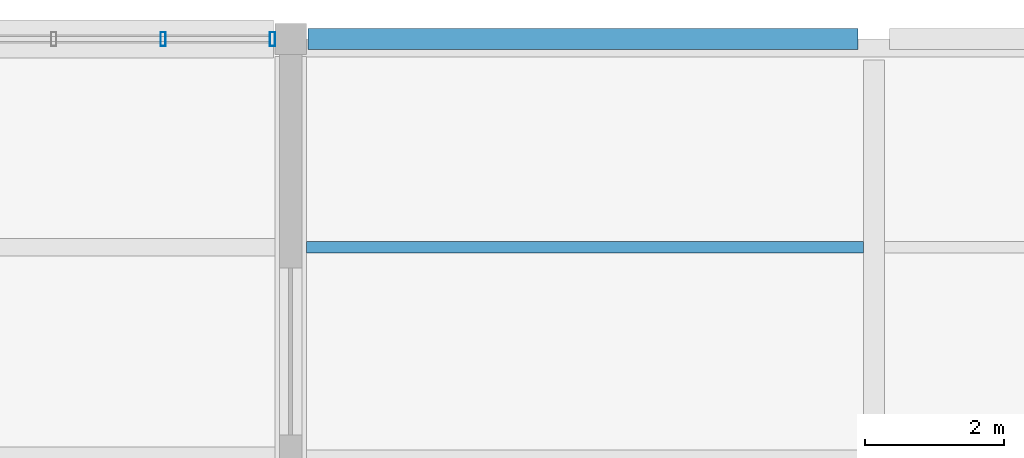
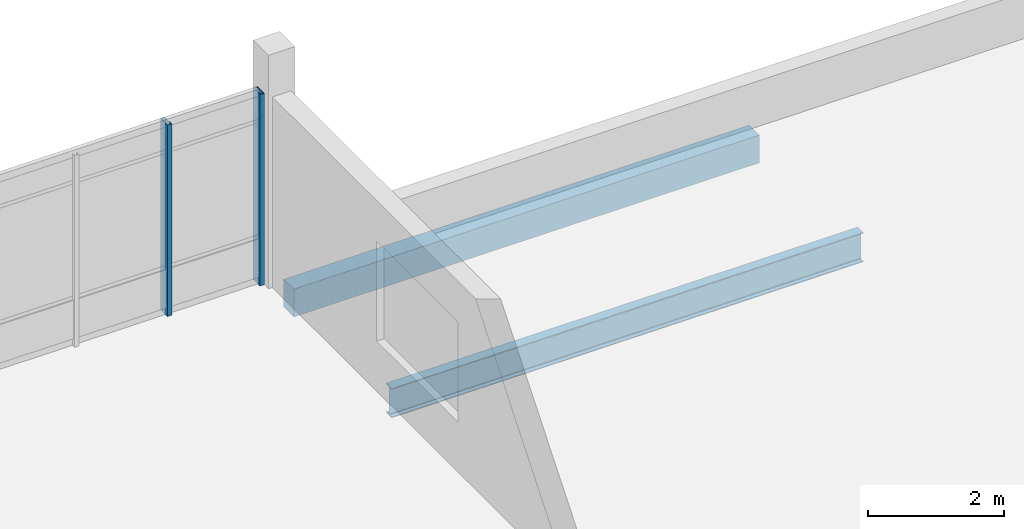
# One storey, part 42 of 62: 2 beams, 2 members, 1 element without a shape of its own.
"""IFC4 building model written with IfcOpenShell, lengths in metres."""

from ifc_helpers import new_model, si_unit, direction, frame, origin, origin_2d, place, context, subcontext, project, spatial, rectangle, hollow_rectangle, i_section, extrude, material, layer, layer_set, material_profile, profile_set, type_object, element, aggregate, save


model = new_model("IFC4")

# Units and contexts
model_context = context("Model", 3, precision=1e-05, world=origin(), true_north=direction((0.0, 1.0)))
body_context = subcontext(model_context, "Body", "Model", "MODEL_VIEW")
ifc_project = project(units=[si_unit("LENGTHUNIT", "METRE"), si_unit("AREAUNIT", "SQUARE_METRE"), si_unit("VOLUMEUNIT", "CUBIC_METRE"), si_unit("PLANEANGLEUNIT", "RADIAN"), si_unit("MASSUNIT", "GRAM", prefix="KILO")], contexts=[model_context])

# Site, building, storey
site_placement = place(None, origin())
site = spatial("IfcSite", under=ifc_project, at=site_placement, CompositionType="ELEMENT")
building_placement = place(site_placement, origin())
building = spatial("IfcBuilding", under=site, at=building_placement, Name="Vireocrest Preparatory School", CompositionType="ELEMENT")
storey_placement = place(building_placement, frame((0.0, 0.0, 17.39990234375)))
storey = spatial("IfcBuildingStorey", under=building, at=storey_placement, Name="L04", CompositionType="ELEMENT", Elevation=17.39990234375)

# Curtain wall, members
ifc_material_1 = material(Name="Thermally broken aluminium EN AW-6063-T6", Category="aluminium")
ifc_layer = layer(ifc_material_1, 0.179931640625)
ifc_layer_set = layer_set([ifc_layer], Name="Thermally broken aluminium EN AW-6063-T6")
curtain_wall_type = type_object("IfcCurtainWallType", Name="North Street Curtain Wall 8400x4000", PredefinedType="USERDEFINED", material=ifc_layer_set)
curtain_wall_placement = place(storey_placement, origin())
curtain_wall = element("IfcCurtainWall", 1, at=curtain_wall_placement, inside=storey, type_object=curtain_wall_type, Name="Curtain Wall CW05 CW_L04_CW05_0758_1128_174", ObjectType="CURTAIN WALL", PredefinedType="USERDEFINED")
ifc_material_profile_1 = material_profile(ifc_material_1, hollow_rectangle(XDim=0.074951171875, YDim=0.199951171875, WallThickness=0.0048828125, at=origin_2d()), Name="ALU 75x200x5")
ifc_profile_set_1 = profile_set([ifc_material_profile_1], Name="Thermally broken aluminium EN AW-6063-T6")
member_type = type_object("IfcMemberType", Name="CW Mullion 75x200x5", PredefinedType="MULLION", material=ifc_profile_set_1)
member_1_placement = place(storey_placement, frame((82.1640625, 112.800048828125, 0.0), z_axis=(0.0, 0.0, 1.0), x_axis=(1.0, 0.0, 0.0)))
member_1 = element("IfcMember", 2, at=member_1_placement, type_object=member_type, Name="CW Mullion ML3 CW_L04_CW05_0758_1128_174-5", PredefinedType="MULLION", context=body_context, shape_type="SweptSolid", body=[
    extrude(hollow_rectangle(XDim=0.074951171875, YDim=0.199951171875, WallThickness=0.0048828125, at=origin_2d()), origin(), (0.0, 0.0, 1.0), 3.445068359375),
])
member_2_placement = place(storey_placement, frame((83.739990234375, 112.800048828125, 0.0), z_axis=(0.0, 0.0, 1.0), x_axis=(1.0, 0.0, 0.0)))
member_2 = element("IfcMember", 3, at=member_2_placement, type_object=member_type, Name="CW Mullion ML3 CW_L04_CW05_0758_1128_174-6", PredefinedType="MULLION", context=body_context, shape_type="SweptSolid", body=[
    extrude(hollow_rectangle(XDim=0.074951171875, YDim=0.199951171875, WallThickness=0.0048828125, at=origin_2d()), origin(), (0.0, 0.0, 1.0), 3.445068359375),
])
aggregate(curtain_wall, [member_1, member_2])

# Beams
ifc_material_2 = material(Name="Structural steel ASTM A992 Grade 50", Category="steel")
ifc_material_profile_2 = material_profile(ifc_material_2, i_section(OverallWidth=0.166015625, OverallDepth=0.529052734375, WebThickness=0.009765625, FlangeThickness=0.013671875, FilletRadius=0.014892578125, at=origin_2d()), Name="W21X50")
ifc_profile_set_2 = profile_set([ifc_material_profile_2], Name="Structural steel ASTM A992 Grade 50")
beam_type_1 = type_object("IfcBeamType", Name="Pavilion Roof Joist W21X50", PredefinedType="JOIST", material=ifc_profile_set_2)
beam_1_placement = place(storey_placement, frame((84.22509765625, 109.800048828125, -0.484375), z_axis=(1.0, 0.0, 0.0), x_axis=(0.0, 1.0, 0.0)))
element("IfcBeam", 4, at=beam_1_placement, inside=storey, type_object=beam_type_1, Name="Secondary Joist SJ1 L04-1480", PredefinedType="JOIST", context=body_context, shape_type="SweptSolid", body=[
    extrude(i_section(OverallWidth=0.166015625, OverallDepth=0.529052734375, WebThickness=0.009765625, FlangeThickness=0.013671875, FilletRadius=0.014892578125, at=origin_2d()), origin(), (0.0, 0.0, 1.0), 8.02490234375),
])
ifc_material_3 = material(Name="Concrete 40 MPa", Category="concrete")
ifc_material_profile_3 = material_profile(ifc_material_3, rectangle(XDim=0.300048828125, YDim=0.5, at=origin_2d()), Name="RC 300x500")
ifc_profile_set_3 = profile_set([ifc_material_profile_3], Name="Concrete 40 MPa")
beam_type_2 = type_object("IfcBeamType", Name="RC Roof Edge Beam 300x500", PredefinedType="BEAM", material=ifc_profile_set_3)
beam_2_placement = place(storey_placement, frame((84.25, 112.800048828125, -0.469970703125), z_axis=(1.0, 0.0, 0.0), x_axis=(0.0, 1.0, 0.0)))
element("IfcBeam", 5, at=beam_2_placement, inside=storey, type_object=beam_type_2, Name="Primary Girder B01 L04-1349", PredefinedType="BEAM", context=body_context, shape_type="SweptSolid", body=[
    extrude(rectangle(XDim=0.300048828125, YDim=0.5, at=origin_2d()), origin(), (0.0, 0.0, 1.0), 7.925048828125),
])

save(model, "model.ifc")
